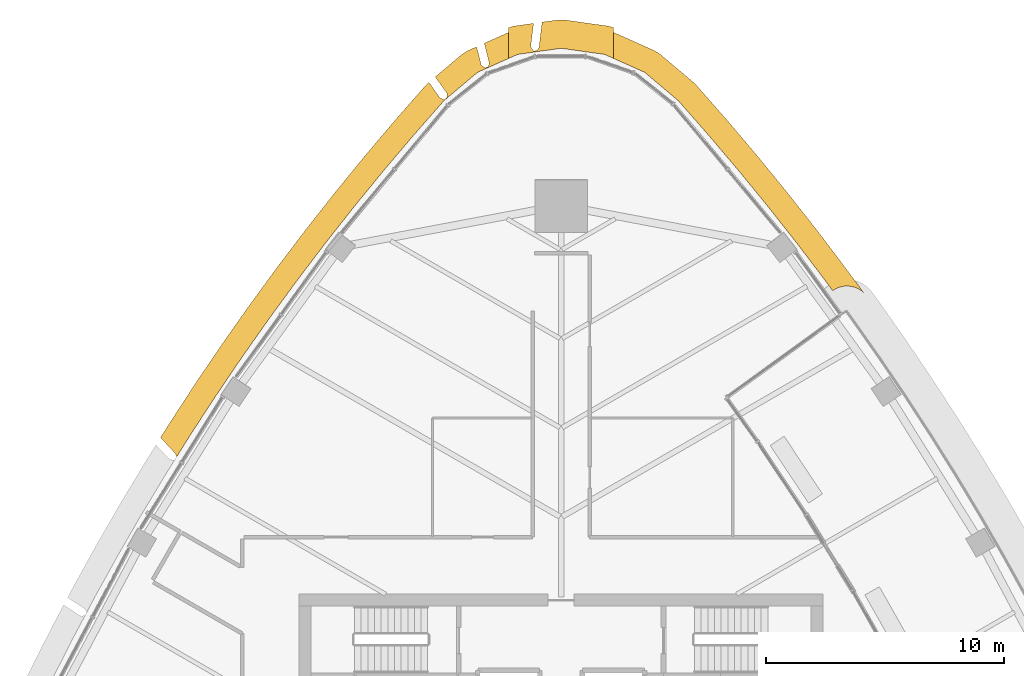
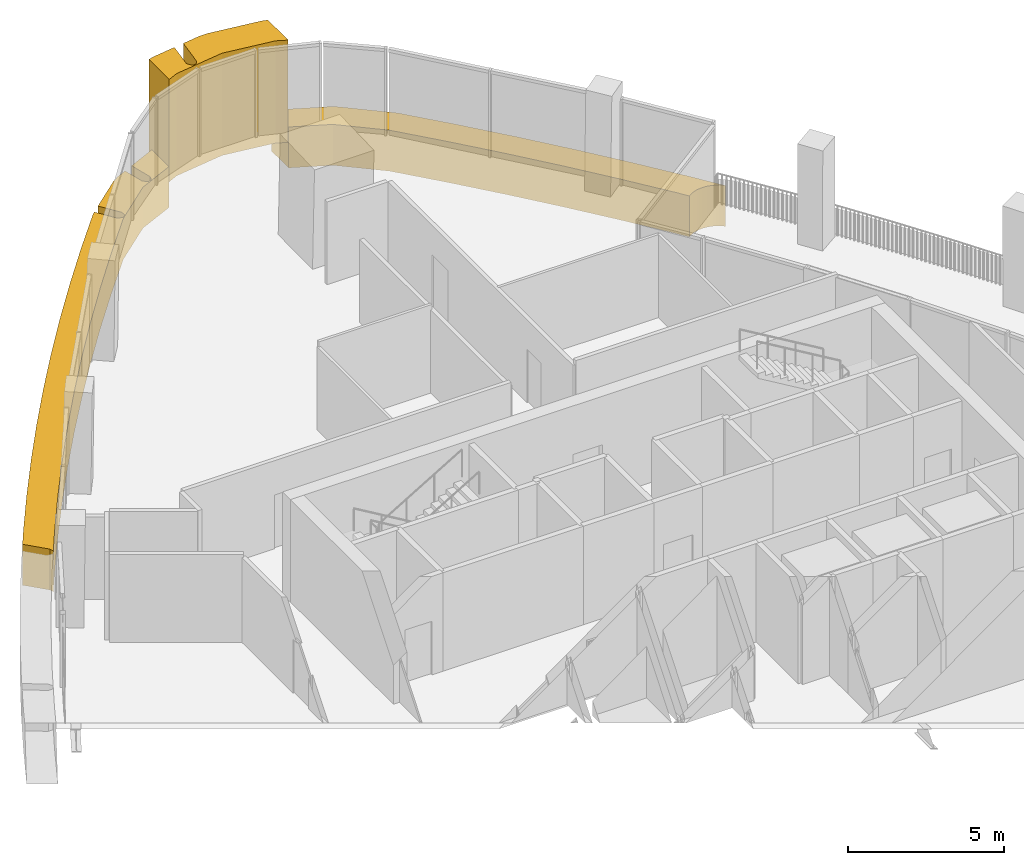
# One storey, part 19 of 20: 3 coverings.
"""IFC4 building model written with IfcOpenShell, lengths in metres."""

from ifc_helpers import new_model, si_unit, direction, frame, origin, place, context, subcontext, project, spatial, polyline, outline, extrude, material, layer, layer_set, type_object, element, save


model = new_model("IFC4")

# Units and contexts
model_context = context("Model", 3, precision=1e-05, world=origin(), true_north=direction((0.0, 1.0)))
body_context = subcontext(model_context, "Body", "Model", "MODEL_VIEW")
ifc_project = project(units=[si_unit("LENGTHUNIT", "METRE"), si_unit("AREAUNIT", "SQUARE_METRE"), si_unit("VOLUMEUNIT", "CUBIC_METRE"), si_unit("PLANEANGLEUNIT", "RADIAN"), si_unit("MASSUNIT", "GRAM", prefix="KILO")], contexts=[model_context])

# Site, building, storey
site_placement = place(None, origin())
site = spatial("IfcSite", under=ifc_project, at=site_placement, CompositionType="ELEMENT")
building_placement = place(site_placement, origin())
building = spatial("IfcBuilding", under=site, at=building_placement, Name="Sierra Prisma Convention Tower", CompositionType="ELEMENT")
storey_placement = place(building_placement, frame((0.0, 0.0, 275.0)))
storey = spatial("IfcBuildingStorey", under=building, at=storey_placement, Name="L62", CompositionType="ELEMENT", Elevation=275.0)

# Coverings
ifc_material_1 = material(Name="Aluminium composite bronze anodised", Category="aluminium")
ifc_layer_1 = layer(ifc_material_1, 1.199951171875)
ifc_layer_set_1 = layer_set([ifc_layer_1], Name="Bronze corner pier")
covering_type_1 = type_object("IfcCoveringType", Name="Bronze corner pier", PredefinedType="CLADDING", material=ifc_layer_set_1)
covering_1_placement = place(storey_placement, frame((0.0, 0.0, -0.60009765625)))
element("IfcCovering", 1, at=covering_1_placement, inside=storey, type_object=covering_type_1, Name="Corner pier N L62.1", PredefinedType="CLADDING", context=body_context, shape_type="SweptSolid", body=[
    extrude(outline(polyline([(-2.199951171875, 31.796875), (-1.994384765625, 31.856201171875), (-1.157958984375, 31.97412109375), (-1.275390625, 31.012451171875), (-1.27587890625, 31.007568359375), (-1.275634765625, 31.00244140625), (-1.275146484375, 30.99755859375), (-1.27392578125, 30.99267578125), (-1.2724609375, 30.988037109375), (-1.270263671875, 30.9833984375), (-1.267822265625, 30.979248046875), (-1.176513671875, 30.838134765625), (-1.173583984375, 30.83447265625), (-1.170654296875, 30.830810546875), (-1.167236328125, 30.82763671875), (-1.163330078125, 30.82470703125), (-1.159423828125, 30.822021484375), (-1.1552734375, 30.81982421875), (-1.15087890625, 30.818115234375), (-1.146240234375, 30.81689453125), (-1.1416015625, 30.81591796875), (-1.136962890625, 30.8154296875), (-1.132080078125, 30.8154296875), (-1.12744140625, 30.81591796875), (-1.028564453125, 30.829833984375), (-1.023681640625, 30.830810546875), (-1.018798828125, 30.832275390625), (-1.014404296875, 30.833984375), (-1.010009765625, 30.83642578125), (-1.005859375, 30.839111328125), (-1.001953125, 30.84228515625), (-0.99853515625, 30.845703125), (-0.995361328125, 30.849609375), (-0.99267578125, 30.853759765625), (-0.934814453125, 30.950439453125), (-0.932373046875, 30.955078125), (-0.930419921875, 30.9599609375), (-0.928955078125, 30.96484375), (-0.927978515625, 30.969970703125), (-0.79931640625, 32.02490234375), (-0.167724609375, 32.114013671875), (0.167724609375, 32.114013671875), (1.994384765625, 31.856201171875), (2.199951171875, 31.796875), (2.199951171875, 30.5009765625), (1.82666015625, 30.66796875), (0.0, 30.92578125), (-1.82666015625, 30.66796875), (-2.199951171875, 30.5009765625), (-2.199951171875, 31.796875)])), origin(), (0.0, 0.0, 1.0), 4.0),
])
ifc_material_2 = material(Name="Aluminium composite bronze anodised", Category="aluminium")
ifc_layer_2 = layer(ifc_material_2, 1.0)
ifc_layer_set_2 = layer_set([ifc_layer_2], Name="Bronze spandrel band")
covering_type_2 = type_object("IfcCoveringType", Name="Bronze spandrel band", PredefinedType="CLADDING", material=ifc_layer_set_2)
covering_2_placement = place(storey_placement, frame((0.0, 0.0, -1.60009765625)))
element("IfcCovering", 2, at=covering_2_placement, inside=storey, type_object=covering_type_2, Name="Spandrel band L62.4", PredefinedType="CLADDING", context=body_context, shape_type="SweptSolid", body=[
    extrude(outline(polyline([(-11.933837890625, 21.714599609375), (-11.923095703125, 21.72900390625), (-10.73681640625, 23.293212890625), (-10.7255859375, 23.307373046875), (-9.511474609375, 24.849853515625), (-9.500244140625, 24.86376953125), (-8.258544921875, 26.38427734375), (-8.247314453125, 26.39794921875), (-6.978515625, 27.89599609375), (-6.966796875, 27.90966796875), (-5.67138671875, 29.384765625), (-5.565185546875, 29.489013671875), (-5.552734375, 29.49951171875), (-5.093017578125, 28.846923828125), (-5.090087890625, 28.843017578125), (-5.08642578125, 28.83935546875), (-5.082763671875, 28.836181640625), (-5.07861328125, 28.833251953125), (-5.07421875, 28.830810546875), (-5.069580078125, 28.828857421875), (-4.927978515625, 28.777099609375), (-4.923583984375, 28.775390625), (-4.9189453125, 28.7744140625), (-4.9140625, 28.77392578125), (-4.9091796875, 28.77392578125), (-4.904541015625, 28.7744140625), (-4.89990234375, 28.775146484375), (-4.895263671875, 28.7763671875), (-4.890869140625, 28.778076171875), (-4.886474609375, 28.7802734375), (-4.88232421875, 28.78271484375), (-4.878662109375, 28.78564453125), (-4.80224609375, 28.85009765625), (-4.798583984375, 28.853515625), (-4.79541015625, 28.857177734375), (-4.79248046875, 28.861083984375), (-4.7900390625, 28.865234375), (-4.7880859375, 28.86962890625), (-4.78662109375, 28.874267578125), (-4.785400390625, 28.87890625), (-4.78466796875, 28.8837890625), (-4.784423828125, 28.888671875), (-4.78466796875, 28.8935546875), (-4.798095703125, 29.02490234375), (-4.798828125, 29.030029296875), (-4.80029296875, 29.034912109375), (-4.802001953125, 29.039794921875), (-4.80419921875, 29.044189453125), (-4.806884765625, 29.048583984375), (-5.284423828125, 29.72607421875), (-4.155517578125, 30.678955078125), (-3.918701171875, 30.827392578125), (-3.54931640625, 30.992919921875), (-3.361083984375, 30.24365234375), (-3.359619140625, 30.2392578125), (-3.35791015625, 30.23486328125), (-3.355712890625, 30.230712890625), (-3.353271484375, 30.226806640625), (-3.350341796875, 30.22314453125), (-3.34716796875, 30.2197265625), (-3.34375, 30.216796875), (-3.218994140625, 30.1171875), (-3.215087890625, 30.114501953125), (-3.210693359375, 30.11181640625), (-3.206298828125, 30.10986328125), (-3.201416015625, 30.108154296875), (-3.19677734375, 30.107177734375), (-3.191650390625, 30.1064453125), (-3.186767578125, 30.106201171875), (-3.181884765625, 30.106689453125), (-3.177001953125, 30.107666015625), (-3.172119140625, 30.10888671875), (-3.16748046875, 30.110595703125), (-3.076171875, 30.151611328125), (-3.071533203125, 30.15380859375), (-3.0673828125, 30.15673828125), (-3.063232421875, 30.159912109375), (-3.0595703125, 30.16357421875), (-3.056396484375, 30.16748046875), (-3.053466796875, 30.171875), (-3.051025390625, 30.176513671875), (-3.04931640625, 30.181396484375), (-3.0478515625, 30.186279296875), (-3.021240234375, 30.305908203125), (-3.0205078125, 30.310546875), (-3.02001953125, 30.315185546875), (-3.02001953125, 30.31982421875), (-3.0205078125, 30.324462890625), (-3.021484375, 30.328857421875), (-3.224853515625, 31.137939453125), (-2.23486328125, 31.580810546875), (-2.2099609375, 31.587890625), (-2.2099609375, 30.496337890625), (-3.510498046875, 29.914794921875), (-4.920166015625, 28.724853515625), (-6.21533203125, 27.249755859375), (-7.484130859375, 25.751708984375), (-8.725830078125, 24.231201171875), (-9.93994140625, 22.688720703125), (-11.12646484375, 21.124755859375), (-12.28466796875, 19.539794921875), (-13.414306640625, 17.934326171875), (-14.514892578125, 16.308837890625), (-15.58642578125, 14.663818359375), (-16.15185546875, 13.760986328125), (-16.151123046875, 13.765625), (-16.151123046875, 13.7705078125), (-16.151611328125, 13.775390625), (-16.152587890625, 13.780517578125), (-16.15380859375, 13.78515625), (-16.190673828125, 13.8916015625), (-16.192626953125, 13.896484375), (-16.195068359375, 13.901123046875), (-16.197998046875, 13.905517578125), (-16.201416015625, 13.909423828125), (-16.821533203125, 14.57568359375), (-16.433837890625, 15.194580078125), (-16.42431640625, 15.209716796875), (-15.352783203125, 16.8544921875), (-15.343017578125, 16.869384765625), (-14.2421875, 18.4951171875), (-14.232177734375, 18.509765625), (-13.102294921875, 20.115234375), (-13.092041015625, 20.129638671875), (-11.933837890625, 21.714599609375)])), origin(), (0.0, 0.0, 1.0), 1.60009765625),
])
covering_3_placement = place(storey_placement, frame((0.0, 0.0, -1.60009765625)))
element("IfcCovering", 3, at=covering_3_placement, inside=storey, type_object=covering_type_2, Name="Spandrel band L62.5", PredefinedType="CLADDING", context=body_context, shape_type="SweptSolid", body=[
    extrude(outline(polyline([(4.155517578125, 30.678955078125), (5.565185546875, 29.489013671875), (5.67138671875, 29.384765625), (6.966796875, 27.90966796875), (6.978515625, 27.89599609375), (8.247314453125, 26.39794921875), (8.258544921875, 26.38427734375), (9.500244140625, 24.86376953125), (9.511474609375, 24.849853515625), (10.7255859375, 23.307373046875), (10.73681640625, 23.293212890625), (11.923095703125, 21.72900390625), (11.933837890625, 21.714599609375), (12.69580078125, 20.672119140625), (12.62060546875, 20.734619140625), (12.5380859375, 20.790771484375), (12.450439453125, 20.83837890625), (12.358642578125, 20.87744140625), (12.26318359375, 20.9072265625), (12.16552734375, 20.927734375), (12.06640625, 20.9384765625), (11.966552734375, 20.939453125), (11.8671875, 20.9306640625), (11.76904296875, 20.912109375), (11.673095703125, 20.884033203125), (11.58056640625, 20.846923828125), (11.491943359375, 20.80078125), (11.408203125, 20.746337890625), (11.40478515625, 20.74365234375), (11.12646484375, 21.124755859375), (9.93994140625, 22.688720703125), (8.725830078125, 24.231201171875), (7.484130859375, 25.751708984375), (6.21533203125, 27.249755859375), (4.920166015625, 28.724853515625), (3.510498046875, 29.914794921875), (2.2099609375, 30.496337890625), (2.2099609375, 31.587890625), (2.23486328125, 31.580810546875), (3.918701171875, 30.827392578125), (4.155517578125, 30.678955078125)])), origin(), (0.0, 0.0, 1.0), 1.60009765625),
])

save(model, "model.ifc")
